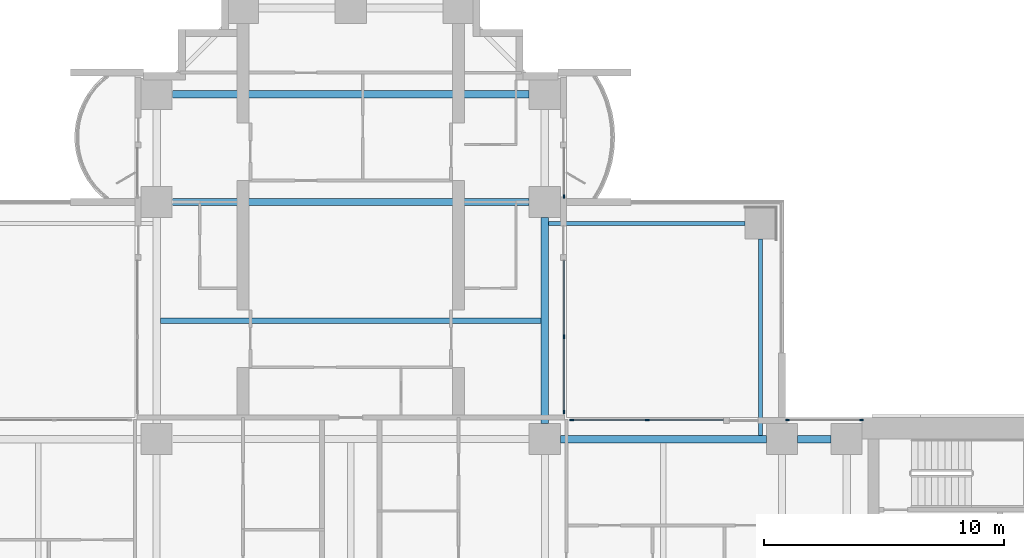
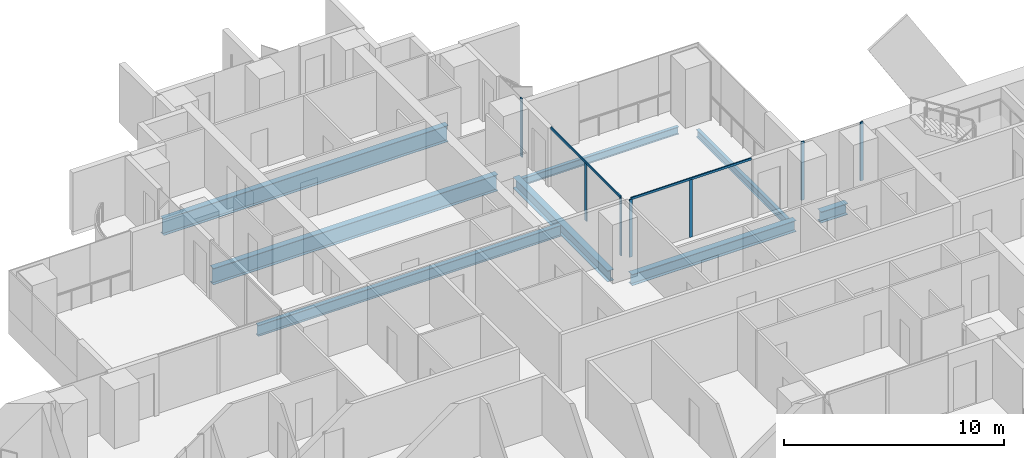
# One storey, part 7 of 23: 9 members, 8 beams, 4 elements without a shape of their own.
"""IFC4 building model written with IfcOpenShell, lengths in metres."""

from ifc_helpers import new_model, si_unit, direction, frame, origin, origin_2d, place, context, subcontext, project, spatial, rectangle, i_section, extrude, material, material_profile, profile_set, type_object, element, aggregate, save


model = new_model("IFC4")

# Units and contexts
model_context = context("Model", 3, precision=1e-05, world=origin(), true_north=direction((0.0, 1.0)))
body_context = subcontext(model_context, "Body", "Model", "MODEL_VIEW")
ifc_project = project(units=[si_unit("LENGTHUNIT", "METRE"), si_unit("AREAUNIT", "SQUARE_METRE"), si_unit("VOLUMEUNIT", "CUBIC_METRE"), si_unit("PLANEANGLEUNIT", "RADIAN"), si_unit("MASSUNIT", "GRAM", prefix="KILO")], contexts=[model_context])

# Site, building, storey
site_placement = place(None, origin())
site = spatial("IfcSite", under=ifc_project, at=site_placement, CompositionType="ELEMENT")
building_placement = place(site_placement, origin())
building = spatial("IfcBuilding", under=site, at=building_placement, Name="Perihelion Cross Residences", CompositionType="ELEMENT")
storey_placement = place(building_placement, frame((0.0, 0.0, 61.0)))
storey = spatial("IfcBuildingStorey", under=building, at=storey_placement, Name="L12", CompositionType="ELEMENT", Elevation=61.0)

# Curtain wall, members
ifc_material_1 = material(Name="Bronze anodised aluminium, tinted glazing", Category="aluminium")
curtain_wall_type = type_object("IfcCurtainWallType", Name="CW1", PredefinedType="NOTDEFINED", material=ifc_material_1)
curtain_wall_1_placement = place(storey_placement, origin())
curtain_wall_1 = element("IfcCurtainWall", 1, at=curtain_wall_1_placement, inside=storey, type_object=curtain_wall_type, Name="Curtain wall CW1 L12 east side north bay 1", PredefinedType="NOTDEFINED")
ifc_material_2 = material(Name="Bronze anodised aluminium", Category="aluminium")
ifc_material_profile_1 = material_profile(ifc_material_2, rectangle(XDim=0.06005859375, YDim=0.159912109375, at=origin_2d()), Name="CW1 mullion")
ifc_profile_set_1 = profile_set([ifc_material_profile_1], Name="Bronze anodised aluminium")
member_type_1 = type_object("IfcMemberType", Name="CW1 mullion", PredefinedType="MULLION", material=ifc_profile_set_1)
member_1_placement = place(storey_placement, frame((21.320068359375, 8.89990234375, 0.0), z_axis=(0.0, 0.0, 1.0), x_axis=(0.0, -1.0, 0.0)))
member_1 = element("IfcMember", 2, at=member_1_placement, type_object=member_type_1, Name="CW1 mullion 1", PredefinedType="MULLION", context=body_context, shape_type="SweptSolid", body=[
    extrude(rectangle(XDim=0.06005859375, YDim=0.159912109375, at=origin_2d()), origin(), (0.0, 0.0, 1.0), 3.25),
])
member_2_placement = place(storey_placement, frame((18.22998046875, 8.89990234375, 0.0), z_axis=(0.0, 0.0, 1.0), x_axis=(0.0, -1.0, 0.0)))
member_2 = element("IfcMember", 3, at=member_2_placement, type_object=member_type_1, Name="CW1 mullion 2", PredefinedType="MULLION", context=body_context, shape_type="SweptSolid", body=[
    extrude(rectangle(XDim=0.06005859375, YDim=0.159912109375, at=origin_2d()), origin(), (0.0, 0.0, 1.0), 3.25),
])
aggregate(curtain_wall_1, [member_1, member_2])

curtain_wall_2_placement = place(storey_placement, origin())
curtain_wall_2 = element("IfcCurtainWall", 4, at=curtain_wall_2_placement, inside=storey, type_object=curtain_wall_type, Name="Curtain wall CW1 L12 east side north bay 2", PredefinedType="NOTDEFINED")
member_3_placement = place(storey_placement, frame((12.375, 8.89990234375, 0.0), z_axis=(0.0, 0.0, 1.0), x_axis=(0.0, -1.0, 0.0)))
member_3 = element("IfcMember", 5, at=member_3_placement, type_object=member_type_1, Name="CW1 mullion 2", PredefinedType="MULLION", context=body_context, shape_type="SweptSolid", body=[
    extrude(rectangle(XDim=0.06005859375, YDim=0.159912109375, at=origin_2d()), origin(), (0.0, 0.0, 1.0), 3.18994140625),
])
member_4_placement = place(storey_placement, frame((9.22998046875, 8.89990234375, 0.0), z_axis=(0.0, 0.0, 1.0), x_axis=(0.0, -1.0, 0.0)))
member_4 = element("IfcMember", 6, at=member_4_placement, type_object=member_type_1, Name="CW1 mullion 3", PredefinedType="MULLION", context=body_context, shape_type="SweptSolid", body=[
    extrude(rectangle(XDim=0.06005859375, YDim=0.159912109375, at=origin_2d()), origin(), (0.0, 0.0, 1.0), 3.18994140625),
])

curtain_wall_3_placement = place(storey_placement, origin())
curtain_wall_3 = element("IfcCurtainWall", 7, at=curtain_wall_3_placement, inside=storey, type_object=curtain_wall_type, Name="Curtain wall CW1 L12 north side east bay 1", PredefinedType="NOTDEFINED")
member_5_placement = place(storey_placement, frame((8.89990234375, 9.22998046875, 0.0), z_axis=(0.0, 0.0, 1.0), x_axis=(-1.0, 0.0, 0.0)))
member_5 = element("IfcMember", 8, at=member_5_placement, type_object=member_type_1, Name="CW1 mullion 1", PredefinedType="MULLION", context=body_context, shape_type="SweptSolid", body=[
    extrude(rectangle(XDim=0.06005859375, YDim=0.159912109375, at=origin_2d()), origin(), (0.0, 0.0, 1.0), 3.18994140625),
])
member_6_placement = place(storey_placement, frame((8.89990234375, 12.375, 0.0), z_axis=(0.0, 0.0, 1.0), x_axis=(-1.0, 0.0, 0.0)))
member_6 = element("IfcMember", 9, at=member_6_placement, type_object=member_type_1, Name="CW1 mullion 2", PredefinedType="MULLION", context=body_context, shape_type="SweptSolid", body=[
    extrude(rectangle(XDim=0.06005859375, YDim=0.159912109375, at=origin_2d()), origin(), (0.0, 0.0, 1.0), 3.18994140625),
])

# Curtain wall, member
curtain_wall_4_placement = place(storey_placement, origin())
curtain_wall_4 = element("IfcCurtainWall", 10, at=curtain_wall_4_placement, inside=storey, type_object=curtain_wall_type, Name="Curtain wall CW1 L12 north side east bay 2", PredefinedType="NOTDEFINED")
member_7_placement = place(storey_placement, frame((8.89990234375, 18.22998046875, 0.0), z_axis=(0.0, 0.0, 1.0), x_axis=(-1.0, 0.0, 0.0)))
member_7 = element("IfcMember", 11, at=member_7_placement, type_object=member_type_1, Name="CW1 mullion 1", PredefinedType="MULLION", context=body_context, shape_type="SweptSolid", body=[
    extrude(rectangle(XDim=0.06005859375, YDim=0.159912109375, at=origin_2d()), origin(), (0.0, 0.0, 1.0), 3.25),
])
aggregate(curtain_wall_4, [member_7])

# Member
ifc_material_3 = material(Name="Bronze anodised aluminium", Category="aluminium")
ifc_material_profile_2 = material_profile(ifc_material_3, rectangle(XDim=0.06005859375, YDim=0.1201171875, at=origin_2d()), Name="CW1 transom")
ifc_profile_set_2 = profile_set([ifc_material_profile_2], Name="Bronze anodised aluminium")
member_type_2 = type_object("IfcMemberType", Name="CW1 transom", PredefinedType="USERDEFINED", material=ifc_profile_set_2)
member_8_placement = place(storey_placement, frame((15.550048828125, 8.89990234375, 3.219970703125), z_axis=(-1.0, 0.0, 0.0), x_axis=(0.0, -1.0, 0.0)))
member_8 = element("IfcMember", 12, at=member_8_placement, type_object=member_type_2, Name="CW1 head transom", ObjectType="TRANSOM", PredefinedType="USERDEFINED", context=body_context, shape_type="SweptSolid", body=[
    extrude(rectangle(XDim=0.06005859375, YDim=0.1201171875, at=origin_2d()), origin(), (0.0, 0.0, 1.0), 6.320068359375),
])

aggregate(curtain_wall_2, [member_3, member_4, member_8])

member_9_placement = place(storey_placement, frame((8.89990234375, 9.22998046875, 3.219970703125), z_axis=(0.0, 1.0, 0.0), x_axis=(-1.0, 0.0, 0.0)))
member_9 = element("IfcMember", 13, at=member_9_placement, type_object=member_type_2, Name="CW1 head transom", ObjectType="TRANSOM", PredefinedType="USERDEFINED", context=body_context, shape_type="SweptSolid", body=[
    extrude(rectangle(XDim=0.06005859375, YDim=0.1201171875, at=origin_2d()), origin(), (0.0, 0.0, 1.0), 6.320068359375),
])

aggregate(curtain_wall_3, [member_5, member_6, member_9])

# Beams
ifc_material_4 = material(Name="Steel S355", Category="steel")
ifc_material_profile_3 = material_profile(ifc_material_4, i_section(OverallWidth=0.177978515625, OverallDepth=0.406005859375, WebThickness=0.0078125, FlangeThickness=0.0126953125, at=origin_2d()), Name="W410x60")
ifc_profile_set_3 = profile_set([ifc_material_profile_3], Name="Steel S355")
beam_type_1 = type_object("IfcBeamType", Name="Core edge beam W410x60", PredefinedType="BEAM", material=ifc_profile_set_3)
for number, where, z_axis, x_axis, name in (
    (14, (17.10009765625, 8.262451171875, -0.452880859375), (0.0, 1.0, 0.0), (-1.0, 0.0, 0.0), "Core edge beam TB2 L12 corner no. 7"),
    (15, (8.262451171875, 17.10009765625, -0.452880859375), (1.0, 0.0, 0.0), (0.0, 1.0, 0.0), "Core edge beam TB2 L12 corner no. 8"),
):
    element("IfcBeam", number, at=place(storey_placement, frame(where, z_axis=z_axis, x_axis=x_axis)), inside=storey, type_object=beam_type_1, Name=name, PredefinedType="BEAM", context=body_context, shape_type="SweptSolid", body=[
        extrude(i_section(OverallWidth=0.177978515625, OverallDepth=0.406005859375, WebThickness=0.0078125, FlangeThickness=0.0126953125, at=origin_2d()), origin(), (0.0, 0.0, 1.0), 8.1875),
    ])
ifc_material_5 = material(Name="Steel S355", Category="steel")
ifc_material_profile_4 = material_profile(ifc_material_5, i_section(OverallWidth=0.324951171875, OverallDepth=0.616943359375, WebThickness=0.013916015625, FlangeThickness=0.021484375, at=origin_2d()), Name="W610x174")
ifc_profile_set_4 = profile_set([ifc_material_profile_4], Name="Steel S355")
beam_type_2 = type_object("IfcBeamType", Name="Edge beam W610x174", PredefinedType="SPANDREL", material=ifc_profile_set_4)
beam_1_placement = place(storey_placement, frame((20.050048828125, 8.10009765625, -0.55859375), z_axis=(-1.0, 0.0, 0.0), x_axis=(0.0, -1.0, 0.0)))
element("IfcBeam", 16, at=beam_1_placement, inside=storey, type_object=beam_type_2, Name="Edge beam SB2 L12 no. 14", PredefinedType="SPANDREL", context=body_context, shape_type="SweptSolid", body=[
    extrude(i_section(OverallWidth=0.324951171875, OverallDepth=0.616943359375, WebThickness=0.013916015625, FlangeThickness=0.021484375, at=origin_2d()), origin(), (0.0, 0.0, 1.0), 1.400146484375),
])
for number, where, z_axis, x_axis, name in (
    (17, (17.35009765625, 8.10009765625, -0.55859375), (-1.0, 0.0, 0.0), (0.0, -1.0, 0.0), "Edge beam SB2 L12 no. 13"),
    (18, (8.10009765625, 8.75, -0.55859375), (0.0, 1.0, 0.0), (-1.0, 0.0, 0.0), "Edge beam SB2 L12 no. 20"),
):
    element("IfcBeam", number, at=place(storey_placement, frame(where, z_axis=z_axis, x_axis=x_axis)), inside=storey, type_object=beam_type_2, Name=name, PredefinedType="SPANDREL", context=body_context, shape_type="SweptSolid", body=[
        extrude(i_section(OverallWidth=0.324951171875, OverallDepth=0.616943359375, WebThickness=0.013916015625, FlangeThickness=0.021484375, at=origin_2d()), origin(), (0.0, 0.0, 1.0), 8.60009765625),
    ])
ifc_material_6 = material(Name="Steel S355", Category="steel")
ifc_material_profile_5 = material_profile(ifc_material_6, i_section(OverallWidth=0.304931640625, OverallDepth=0.904052734375, WebThickness=0.01513671875, FlangeThickness=0.02001953125, at=origin_2d()), Name="W920x201")
ifc_profile_set_5 = profile_set([ifc_material_profile_5], Name="Steel S355")
beam_type_3 = type_object("IfcBeamType", Name="Floor girder W920x201", PredefinedType="BEAM", material=ifc_profile_set_5)
for number, where, z_axis, x_axis, name in (
    (19, (-7.449951171875, 18.0, -0.701904296875), (1.0, 0.0, 0.0), (0.0, 1.0, 0.0), "Girder G2 L12 no. 5"),
    (20, (-7.449951171875, 22.5, -0.701904296875), (1.0, 0.0, 0.0), (0.0, 1.0, 0.0), "Girder G2 L12 no. 6"),
):
    element("IfcBeam", number, at=place(storey_placement, frame(where, z_axis=z_axis, x_axis=x_axis)), inside=storey, type_object=beam_type_3, Name=name, PredefinedType="BEAM", context=body_context, shape_type="SweptSolid", body=[
        extrude(i_section(OverallWidth=0.304931640625, OverallDepth=0.904052734375, WebThickness=0.01513671875, FlangeThickness=0.02001953125, at=origin_2d()), origin(), (0.0, 0.0, 1.0), 14.89990234375),
    ])
ifc_material_7 = material(Name="Steel S355", Category="steel")
ifc_material_profile_6 = material_profile(ifc_material_7, i_section(OverallWidth=0.22900390625, OverallDepth=0.612060546875, WebThickness=0.011962890625, FlangeThickness=0.01953125, at=origin_2d()), Name="W610x125")
ifc_profile_set_6 = profile_set([ifc_material_profile_6], Name="Steel S355")
beam_type_4 = type_object("IfcBeamType", Name="Floor joist W610x125", PredefinedType="JOIST", material=ifc_profile_set_6)
beam_2_placement = place(storey_placement, frame((-7.9375, 13.050048828125, -0.555908203125), z_axis=(1.0, 0.0, 0.0), x_axis=(0.0, 1.0, 0.0)))
element("IfcBeam", 21, at=beam_2_placement, inside=storey, type_object=beam_type_4, Name="Joist J3 L12 no. 4", PredefinedType="JOIST", context=body_context, shape_type="SweptSolid", body=[
    extrude(i_section(OverallWidth=0.22900390625, OverallDepth=0.612060546875, WebThickness=0.011962890625, FlangeThickness=0.01953125, at=origin_2d()), origin(), (0.0, 0.0, 1.0), 15.875),
])

save(model, "model.ifc")
